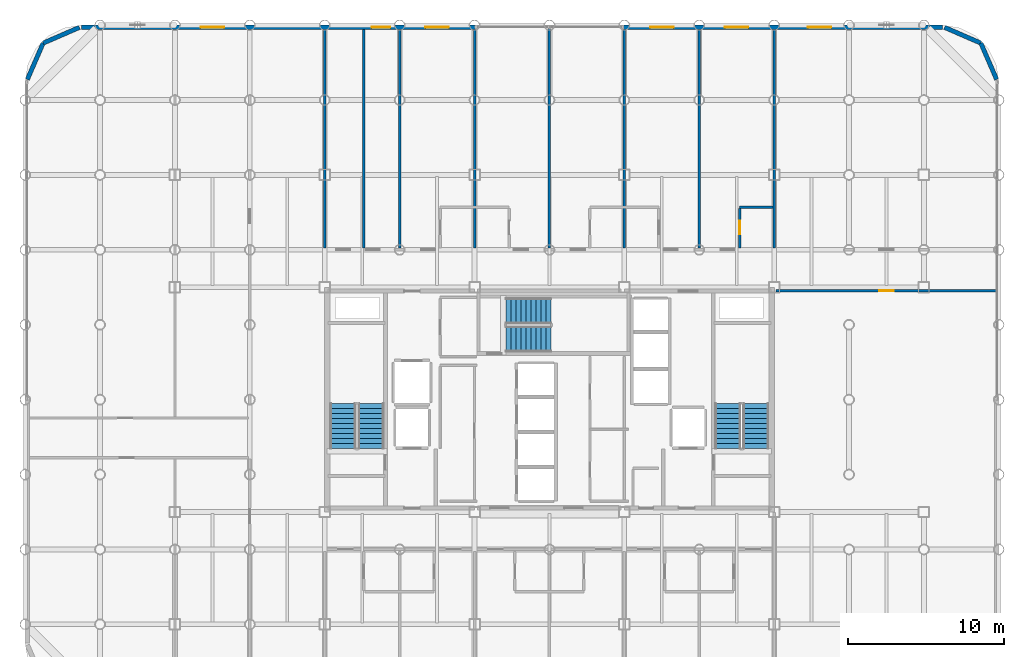
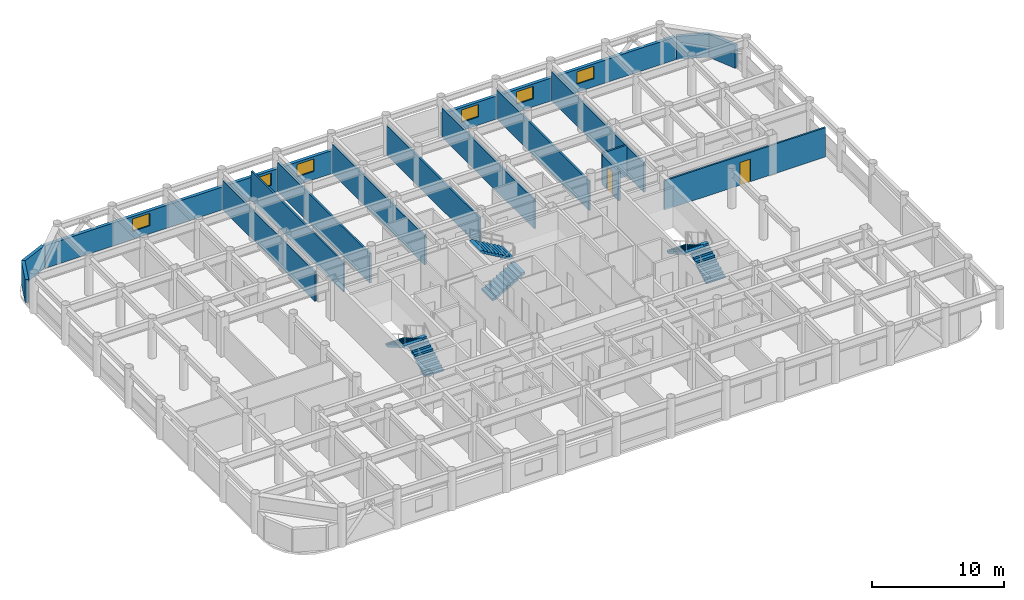
# One storey, part 19 of 20: 17 walls, 6 stair flights, 6 windows, 2 doors, 8 openings, 3 elements without a shape of their own.
"""IFC4 building model written with IfcOpenShell, lengths in metres."""

from ifc_helpers import new_model, si_unit, direction, frame, frame_2d, origin, place, context, subcontext, project, spatial, polyline, rectangle, outline, extrude, material, layer, layer_set, type_object, element, fill, aggregate, save


model = new_model("IFC4")

# Units and contexts
model_context = context("Model", 3, precision=1e-05, world=origin(), true_north=direction((0.0, 1.0)))
body_context = subcontext(model_context, "Body", "Model", "MODEL_VIEW")
ifc_project = project(units=[si_unit("LENGTHUNIT", "METRE"), si_unit("AREAUNIT", "SQUARE_METRE"), si_unit("VOLUMEUNIT", "CUBIC_METRE"), si_unit("PLANEANGLEUNIT", "RADIAN"), si_unit("MASSUNIT", "GRAM", prefix="KILO")], contexts=[model_context])

# Site, building, storey
site_placement = place(None, origin())
site = spatial("IfcSite", under=ifc_project, at=site_placement, CompositionType="ELEMENT")
building_placement = place(site_placement, origin())
building = spatial("IfcBuilding", under=site, at=building_placement, Name="Kallvorn Hotel Tower", CompositionType="ELEMENT")
storey_placement = place(building_placement, frame((0.0, 0.0, 132.199951171875)))
storey = spatial("IfcBuildingStorey", under=building, at=storey_placement, Name="L32", CompositionType="ELEMENT", Elevation=132.199951171875)

# Walls
ifc_material_1 = material(Name="Fire-rated double-layer acoustic gypsum drywall EI 60")
ifc_layer_1 = layer(ifc_material_1, 0.159912109375)
ifc_layer_set_1 = layer_set([ifc_layer_1], Name="WL_DEMISE_160")
wall_type_1 = type_object("IfcWallType", Name="WL_DEMISE_160", PredefinedType="PARTITIONING", material=ifc_layer_set_1)
wall_1_placement = place(storey_placement, frame((12.18994140625, 12.320068359375, 0.0), z_axis=(0.0, 0.0, 1.0), x_axis=(1.0, 0.0, 0.0)))
element("IfcWall", 1, at=wall_1_placement, inside=storey, type_object=wall_type_1, Name="L32 Suite 3211 Standard Twin Room Partition", PredefinedType="PARTITIONING", context=body_context, shape_type="SweptSolid", body=[
    extrude(rectangle(XDim=2.130126953125, YDim=0.159912109375, at=frame_2d((1.06494140625, 0.0))), origin(), (0.0, 0.0, 1.0), 2.8701171875),
])
for number, where, z_axis, x_axis, name in (
    (2, (-9.60009765625, 9.719970703125, 0.0), (0.0, 0.0, 1.0), (0.0, 1.0, 0.0), "L32 Suite 3207 Standard Twin Room Partition"),
    (3, (-4.800048828125, 9.719970703125, 0.0), (0.0, 0.0, 1.0), (0.0, 1.0, 0.0), "L32 Suite 3207 Standard Twin Room Partition"),
):
    element("IfcWall", number, at=place(storey_placement, frame(where, z_axis=z_axis, x_axis=x_axis)), inside=storey, type_object=wall_type_1, Name=name, PredefinedType="PARTITIONING", context=body_context, shape_type="SweptSolid", body=[
        extrude(rectangle(XDim=13.989990234375, YDim=0.159912109375, at=frame_2d((6.9951171875, 0.0))), origin(), (0.0, 0.0, 1.0), 2.719970703125),
    ])
wall_2_placement = place(storey_placement, frame((0.0, 9.719970703125, 0.0), z_axis=(0.0, 0.0, 1.0), x_axis=(0.0, 1.0, 0.0)))
element("IfcWall", 4, at=wall_2_placement, inside=storey, type_object=wall_type_1, Name="L32 Suite 3208 Standard Twin Room Partition", PredefinedType="PARTITIONING", context=body_context, shape_type="SweptSolid", body=[
    extrude(rectangle(XDim=14.074951171875, YDim=0.159912109375, at=frame_2d((7.03759765625, 0.0))), origin(), (0.0, 0.0, 1.0), 2.719970703125),
])
for number, where, z_axis, x_axis, name in (
    (5, (4.800048828125, 9.719970703125, 0.0), (0.0, 0.0, 1.0), (0.0, 1.0, 0.0), "L32 Suite 3209 Standard Twin Room Partition"),
    (6, (9.60009765625, 9.719970703125, 0.0), (0.0, 0.0, 1.0), (0.0, 1.0, 0.0), "L32 Suite 3210 Standard Twin Room Partition"),
):
    element("IfcWall", number, at=place(storey_placement, frame(where, z_axis=z_axis, x_axis=x_axis)), inside=storey, type_object=wall_type_1, Name=name, PredefinedType="PARTITIONING", context=body_context, shape_type="SweptSolid", body=[
        extrude(rectangle(XDim=13.989990234375, YDim=0.159912109375, at=frame_2d((6.9951171875, 0.0))), origin(), (0.0, 0.0, 1.0), 2.719970703125),
    ])

# Wall, opening, door
wall_3_placement = place(storey_placement, frame((12.18994140625, 9.719970703125, 0.0), z_axis=(0.0, 0.0, 1.0), x_axis=(0.0, 1.0, 0.0)))
wall_3 = element("IfcWall", 7, at=wall_3_placement, inside=storey, type_object=wall_type_1, Name="L32 Suite 3211 Standard Twin Room Partition", PredefinedType="PARTITIONING", context=body_context, shape_type="SweptSolid", body=[
    extrude(rectangle(XDim=2.51513671875, YDim=0.159912109375, at=frame_2d((1.257568359375, 0.0))), origin(), (0.0, 0.0, 1.0), 2.719970703125),
])
opening_1_placement = place(wall_3_placement, frame((0.8701171875, 0.0, 0.0)))
opening_1 = element("IfcOpeningElement", 8, at=opening_1_placement, cuts=wall_3, Name="Opening BD-I", PredefinedType="OPENING", context=body_context, shape_type="SweptSolid", body=[
    extrude(rectangle(XDim=0.860107421875, YDim=2.10009765625, at=frame_2d((0.43017578125, 1.050048828125))), frame((0.0, 0.094970703125, 0.0), z_axis=(0.0, -1.0, 0.0), x_axis=(1.0, 0.0, 0.0)), (0.0, 0.0, 1.0), 0.18994140625),
])
ifc_material_2 = material(Name="Solid-core walnut veneer fire-rated timber door leaf", Category="wood")
door_type_1 = type_object("IfcDoorType", Name="DR_BATH_860x2100", OperationType="NOTDEFINED", PredefinedType="DOOR", material=ifc_material_2)
door_1_placement = place(opening_1_placement, origin())
door_1 = element("IfcDoor", 9, at=door_1_placement, inside=storey, type_object=door_type_1, Name="L32 Suite 3211 En-Suite Bathroom Door", OperationType="SINGLE_SWING_LEFT", OverallHeight=2.10009765625, OverallWidth=0.860107421875, PredefinedType="DOOR", context=body_context, shape_type="SweptSolid", body=[
    extrude(rectangle(XDim=0.860107421875, YDim=2.10009765625, at=frame_2d((0.43017578125, 1.050048828125))), frame((0.0, 0.02490234375, 0.0), z_axis=(0.0, -1.0, 0.0), x_axis=(1.0, 0.0, 0.0)), (0.0, 0.0, 1.0), 0.050048828125),
])
fill(opening_1, door_1)

# Walls
wall_4_placement = place(storey_placement, frame((14.39990234375, 9.719970703125, 0.0), z_axis=(0.0, 0.0, 1.0), x_axis=(0.0, 1.0, 0.0)))
element("IfcWall", 10, at=wall_4_placement, inside=storey, type_object=wall_type_1, Name="L32 Suite 3211 Standard Twin Room Partition", PredefinedType="PARTITIONING", context=body_context, shape_type="SweptSolid", body=[
    extrude(rectangle(XDim=13.989990234375, YDim=0.159912109375, at=frame_2d((6.9951171875, 0.0))), origin(), (0.0, 0.0, 1.0), 2.719970703125),
])
ifc_material_3 = material(Name="Precast basalt-clad insulated concrete wall C40/50", Category="masonry")
ifc_layer_2 = layer(ifc_material_3, 0.280029296875)
ifc_layer_set_2 = layer_set([ifc_layer_2], Name="WL_EXT_LOGGIA_280")
wall_type_2 = type_object("IfcWallType", Name="WL_EXT_LOGGIA_280", PredefinedType="SOLIDWALL", material=ifc_layer_set_2)
wall_5_placement = place(storey_placement, frame((28.657958984375, 20.520751953125, 0.0), z_axis=(0.0, 0.0, 1.0), x_axis=(-0.398792985289, 0.917040977756, 0.0)))
element("IfcWall", 11, at=wall_5_placement, inside=storey, type_object=wall_type_2, Name="L32 Rounded Corner Exterior Wall NE1", PredefinedType="SOLIDWALL", context=body_context, shape_type="SweptSolid", body=[
    extrude(rectangle(XDim=2.536376953125, YDim=0.280029296875, at=frame_2d((1.26806640625, 0.0))), origin(), (0.0, 0.0, 1.0), 2.1201171875),
])
for number, where, z_axis, x_axis, name in (
    (12, (27.646484375, 22.8466796875, 0.0), (0.0, 0.0, 1.0), (-0.917060872934, 0.398747232384, 0.0), "L32 Rounded Corner Exterior Wall NE2"),
    (13, (-30.120849609375, 23.85791015625, 0.0), (0.0, 0.0, 1.0), (-0.917060872934, -0.398747232384, 0.0), "L32 Rounded Corner Exterior Wall NW1"),
):
    element("IfcWall", number, at=place(storey_placement, frame(where, z_axis=z_axis, x_axis=x_axis)), inside=storey, type_object=wall_type_2, Name=name, PredefinedType="SOLIDWALL", context=body_context, shape_type="SweptSolid", body=[
        extrude(rectangle(XDim=2.5361328125, YDim=0.280029296875, at=frame_2d((1.26806640625, 0.0))), origin(), (0.0, 0.0, 1.0), 2.1201171875),
    ])
wall_6_placement = place(storey_placement, frame((-32.446533203125, 22.8466796875, 0.0), z_axis=(0.0, 0.0, 1.0), x_axis=(-0.398792985289, -0.917040977756, 0.0)))
element("IfcWall", 14, at=wall_6_placement, inside=storey, type_object=wall_type_2, Name="L32 Rounded Corner Exterior Wall NW2", PredefinedType="SOLIDWALL", context=body_context, shape_type="SweptSolid", body=[
    extrude(rectangle(XDim=2.536376953125, YDim=0.280029296875, at=frame_2d((1.26806640625, 0.0))), origin(), (0.0, 0.0, 1.0), 2.1201171875),
])

# Wall, openings, windows
wall_7_placement = place(storey_placement, frame((-30.0, 23.860107421875, 0.0), z_axis=(0.0, 0.0, 1.0), x_axis=(1.0, 0.0, 0.0)))
wall_7 = element("IfcWall", 15, at=wall_7_placement, inside=storey, type_object=wall_type_2, Name="L32 Exterior Envelope Wall EW-L32-NW", PredefinedType="SOLIDWALL", context=body_context, shape_type="SweptSolid", body=[
    extrude(rectangle(XDim=25.25, YDim=0.280029296875, at=frame_2d((12.625, 0.0))), origin(), (0.0, 0.0, 1.0), 2.1201171875),
])
opening_2_placement = place(wall_7_placement, frame((7.64990234375, 0.0, 0.75)))
opening_2 = element("IfcOpeningElement", 16, at=opening_2_placement, cuts=wall_7, Name="Opening W05A", PredefinedType="OPENING", context=body_context, shape_type="SweptSolid", body=[
    extrude(rectangle(XDim=1.5, YDim=1.14990234375, at=frame_2d((0.75, 0.574951171875))), frame((0.0, 0.155029296875, 0.0), z_axis=(0.0, -1.0, 0.0), x_axis=(1.0, 0.0, 0.0)), (0.0, 0.0, 1.0), 0.31005859375),
])
opening_3_placement = place(wall_7_placement, frame((18.60009765625, 0.0, 0.75)))
opening_3 = element("IfcOpeningElement", 17, at=opening_3_placement, cuts=wall_7, Name="Opening W06A", PredefinedType="OPENING", context=body_context, shape_type="SweptSolid", body=[
    extrude(rectangle(XDim=1.199951171875, YDim=1.14990234375, at=frame_2d((0.60009765625, 0.574951171875))), frame((0.0, 0.155029296875, 0.0), z_axis=(0.0, -1.0, 0.0), x_axis=(1.0, 0.0, 0.0)), (0.0, 0.0, 1.0), 0.31005859375),
])
opening_4_placement = place(wall_7_placement, frame((22.050048828125, 0.0, 0.75)))
opening_4 = element("IfcOpeningElement", 18, at=opening_4_placement, cuts=wall_7, Name="Opening W05A", PredefinedType="OPENING", context=body_context, shape_type="SweptSolid", body=[
    extrude(rectangle(XDim=1.5, YDim=1.14990234375, at=frame_2d((0.75, 0.574951171875))), frame((0.0, 0.155029296875, 0.0), z_axis=(0.0, -1.0, 0.0), x_axis=(1.0, 0.0, 0.0)), (0.0, 0.0, 1.0), 0.31005859375),
])
ifc_material_4 = material(Name="Triple-glazed low-e acoustic solar-control dark glass", Category="glass")
window_type_1 = type_object("IfcWindowType", Name="WN_HTL_1200x1150", PartitioningType="SINGLE_PANEL", PredefinedType="WINDOW", material=ifc_material_4)
window_1_placement = place(opening_3_placement, origin())
window_1 = element("IfcWindow", 19, at=window_1_placement, inside=storey, type_object=window_type_1, Name="L32 Guestroom Exterior Window 09", OverallHeight=1.14990234375, OverallWidth=1.199951171875, PartitioningType="SINGLE_PANEL", PredefinedType="WINDOW", context=body_context, shape_type="SweptSolid", body=[
    extrude(rectangle(XDim=1.199951171875, YDim=1.14990234375, at=frame_2d((0.60009765625, 0.574951171875))), frame((0.0, 0.030029296875, 0.0), z_axis=(0.0, -1.0, 0.0), x_axis=(1.0, 0.0, 0.0)), (0.0, 0.0, 1.0), 0.06005859375),
])
fill(opening_3, window_1)
ifc_material_5 = material(Name="Double-glazed low-e solar-control dark glass", Category="glass")
window_type_2 = type_object("IfcWindowType", Name="WN_HTL_1500x1150", PartitioningType="SINGLE_PANEL", PredefinedType="WINDOW", material=ifc_material_5)
window_2_placement = place(opening_2_placement, origin())
window_2 = element("IfcWindow", 20, at=window_2_placement, inside=storey, type_object=window_type_2, Name="L32 Guestroom Exterior Window 02", OverallHeight=1.14990234375, OverallWidth=1.5, PartitioningType="SINGLE_PANEL", PredefinedType="WINDOW", context=body_context, shape_type="SweptSolid", body=[
    extrude(rectangle(XDim=1.5, YDim=1.14990234375, at=frame_2d((0.75, 0.574951171875))), frame((0.0, 0.030029296875, 0.0), z_axis=(0.0, -1.0, 0.0), x_axis=(1.0, 0.0, 0.0)), (0.0, 0.0, 1.0), 0.06005859375),
])
fill(opening_2, window_2)
window_3_placement = place(opening_4_placement, origin())
window_3 = element("IfcWindow", 21, at=window_3_placement, inside=storey, type_object=window_type_2, Name="L32 Guestroom Exterior Window 10", OverallHeight=1.14990234375, OverallWidth=1.5, PartitioningType="SINGLE_PANEL", PredefinedType="WINDOW", context=body_context, shape_type="SweptSolid", body=[
    extrude(rectangle(XDim=1.5, YDim=1.14990234375, at=frame_2d((0.75, 0.574951171875))), frame((0.0, 0.030029296875, 0.0), z_axis=(0.0, -1.0, 0.0), x_axis=(1.0, 0.0, 0.0)), (0.0, 0.0, 1.0), 0.06005859375),
])
fill(opening_4, window_3)

wall_8_placement = place(storey_placement, frame((4.75, 23.860107421875, 0.0), z_axis=(0.0, 0.0, 1.0), x_axis=(1.0, 0.0, 0.0)))
wall_8 = element("IfcWall", 22, at=wall_8_placement, inside=storey, type_object=wall_type_2, Name="L32 Exterior Envelope Wall EW-L32-NE", PredefinedType="SOLIDWALL", context=body_context, shape_type="SweptSolid", body=[
    extrude(rectangle(XDim=20.449951171875, YDim=0.280029296875, at=frame_2d((10.22509765625, 0.0))), origin(), (0.0, 0.0, 1.0), 2.1201171875),
])
opening_5_placement = place(wall_8_placement, frame((11.81689453125, 0.0, 0.75)))
opening_5 = element("IfcOpeningElement", 23, at=opening_5_placement, cuts=wall_8, Name="Opening W05A", PredefinedType="OPENING", context=body_context, shape_type="SweptSolid", body=[
    extrude(rectangle(XDim=1.5, YDim=1.14990234375, at=frame_2d((0.75, 0.574951171875))), frame((0.0, 0.155029296875, 0.0), z_axis=(0.0, -1.0, 0.0), x_axis=(1.0, 0.0, 0.0)), (0.0, 0.0, 1.0), 0.31005859375),
])
opening_6_placement = place(wall_8_placement, frame((1.699951171875, 0.0, 0.75)))
opening_6 = element("IfcOpeningElement", 24, at=opening_6_placement, cuts=wall_8, Name="Opening W05A", PredefinedType="OPENING", context=body_context, shape_type="SweptSolid", body=[
    extrude(rectangle(XDim=1.5, YDim=1.14990234375, at=frame_2d((0.75, 0.574951171875))), frame((0.0, 0.155029296875, 0.0), z_axis=(0.0, -1.0, 0.0), x_axis=(1.0, 0.0, 0.0)), (0.0, 0.0, 1.0), 0.31005859375),
])
opening_7_placement = place(wall_8_placement, frame((6.5, 0.0, 0.75)))
opening_7 = element("IfcOpeningElement", 25, at=opening_7_placement, cuts=wall_8, Name="Opening W05A", PredefinedType="OPENING", context=body_context, shape_type="SweptSolid", body=[
    extrude(rectangle(XDim=1.5, YDim=1.14990234375, at=frame_2d((0.75, 0.574951171875))), frame((0.0, 0.155029296875, 0.0), z_axis=(0.0, -1.0, 0.0), x_axis=(1.0, 0.0, 0.0)), (0.0, 0.0, 1.0), 0.31005859375),
])
window_4_placement = place(opening_5_placement, origin())
window_4 = element("IfcWindow", 26, at=window_4_placement, inside=storey, type_object=window_type_2, Name="L32 Guestroom Exterior Window 03", OverallHeight=1.14990234375, OverallWidth=1.5, PartitioningType="SINGLE_PANEL", PredefinedType="WINDOW", context=body_context, shape_type="SweptSolid", body=[
    extrude(rectangle(XDim=1.5, YDim=1.14990234375, at=frame_2d((0.75, 0.574951171875))), frame((0.0, 0.030029296875, 0.0), z_axis=(0.0, -1.0, 0.0), x_axis=(1.0, 0.0, 0.0)), (0.0, 0.0, 1.0), 0.06005859375),
])
fill(opening_5, window_4)
window_5_placement = place(opening_6_placement, origin())
window_5 = element("IfcWindow", 27, at=window_5_placement, inside=storey, type_object=window_type_2, Name="L32 Guestroom Exterior Window 11", OverallHeight=1.14990234375, OverallWidth=1.5, PartitioningType="SINGLE_PANEL", PredefinedType="WINDOW", context=body_context, shape_type="SweptSolid", body=[
    extrude(rectangle(XDim=1.5, YDim=1.14990234375, at=frame_2d((0.75, 0.574951171875))), frame((0.0, 0.030029296875, 0.0), z_axis=(0.0, -1.0, 0.0), x_axis=(1.0, 0.0, 0.0)), (0.0, 0.0, 1.0), 0.06005859375),
])
fill(opening_6, window_5)
window_6_placement = place(opening_7_placement, origin())
window_6 = element("IfcWindow", 28, at=window_6_placement, inside=storey, type_object=window_type_2, Name="L32 Guestroom Exterior Window 12", OverallHeight=1.14990234375, OverallWidth=1.5, PartitioningType="SINGLE_PANEL", PredefinedType="WINDOW", context=body_context, shape_type="SweptSolid", body=[
    extrude(rectangle(XDim=1.5, YDim=1.14990234375, at=frame_2d((0.75, 0.574951171875))), frame((0.0, 0.030029296875, 0.0), z_axis=(0.0, -1.0, 0.0), x_axis=(1.0, 0.0, 0.0)), (0.0, 0.0, 1.0), 0.06005859375),
])
fill(opening_7, window_6)

# Wall, opening, door
ifc_material_6 = material(Name="Fire-rated double-layer acoustic gypsum drywall EI 60")
ifc_layer_3 = layer(ifc_material_6, 0.14990234375)
ifc_layer_set_3 = layer_set([ifc_layer_3], Name="WL_PART_150")
wall_type_3 = type_object("IfcWallType", Name="WL_PART_150", PredefinedType="PARTITIONING", material=ifc_layer_set_3)
wall_9_placement = place(storey_placement, frame((14.52001953125, 6.97998046875, 0.0), z_axis=(0.0, 0.0, 1.0), x_axis=(1.0, 0.0, 0.0)))
wall_9 = element("IfcWall", 29, at=wall_9_placement, inside=storey, type_object=wall_type_3, Name="L32 L32 South-East Sommelier Wine Bar Partition", PredefinedType="PARTITIONING", context=body_context, shape_type="SweptSolid", body=[
    extrude(rectangle(XDim=14.10986328125, YDim=0.14990234375, at=frame_2d((7.054931640625, 0.0))), origin(), (0.0, 0.0, 1.0), 2.719970703125),
])
opening_8_placement = place(wall_9_placement, frame((6.6298828125, 0.0, 0.0)))
opening_8 = element("IfcOpeningElement", 30, at=opening_8_placement, cuts=wall_9, Name="Opening SVD1", PredefinedType="OPENING", context=body_context, shape_type="SweptSolid", body=[
    extrude(rectangle(XDim=0.89990234375, YDim=2.10009765625, at=frame_2d((0.449951171875, 1.050048828125))), frame((0.0, 0.08984375, 0.0), z_axis=(0.0, -1.0, 0.0), x_axis=(1.0, 0.0, 0.0)), (0.0, 0.0, 1.0), 0.179931640625),
])
ifc_material_7 = material(Name="Galvanised painted steel fire-rated door assembly", Category="steel")
door_type_2 = type_object("IfcDoorType", Name="DR_SERV_900x2100", OperationType="NOTDEFINED", PredefinedType="DOOR", material=ifc_material_7)
door_2_placement = place(opening_8_placement, origin())
door_2 = element("IfcDoor", 31, at=door_2_placement, inside=storey, type_object=door_type_2, Name="L32 L32 South-East Sommelier Wine Bar Door", OperationType="SINGLE_SWING_LEFT", OverallHeight=2.10009765625, OverallWidth=0.89990234375, PredefinedType="DOOR", context=body_context, shape_type="SweptSolid", body=[
    extrude(rectangle(XDim=0.89990234375, YDim=2.10009765625, at=frame_2d((0.449951171875, 1.050048828125))), frame((0.0, 0.02490234375, 0.0), z_axis=(0.0, -1.0, 0.0), x_axis=(1.0, 0.0, 0.0)), (0.0, 0.0, 1.0), 0.050048828125),
])
fill(opening_8, door_2)

# Walls
for number, where, z_axis, x_axis, name in (
    (32, (-14.39990234375, 9.719970703125, 0.0), (0.0, 0.0, 1.0), (0.0, 1.0, 0.0), "L32 Housekeeping and Linen Room Partition"),
    (33, (-11.905029296875, 9.719970703125, 0.0), (0.0, 0.0, 1.0), (0.0, 1.0, 0.0), "L32 Guest Tea and Refreshment Bar Partition"),
):
    element("IfcWall", number, at=place(storey_placement, frame(where, z_axis=z_axis, x_axis=x_axis)), inside=storey, type_object=wall_type_3, Name=name, PredefinedType="PARTITIONING", context=body_context, shape_type="SweptSolid", body=[
        extrude(rectangle(XDim=13.989990234375, YDim=0.14990234375, at=frame_2d((6.9951171875, 0.0))), origin(), (0.0, 0.0, 1.0), 2.719970703125),
    ])

# Stair, stair flights
ifc_material_8 = material(Name="Precast concrete C40/50", Category="concrete")
stair_type = type_object("IfcStairType", Name="STR_CORE_DOGLEG", PredefinedType="HALF_TURN_STAIR", material=ifc_material_8)
stair_1_placement = place(storey_placement, origin())
stair_1 = element("IfcStair", 34, at=stair_1_placement, inside=storey, type_object=stair_type, Name="L32 Exit stair ST1", PredefinedType="HALF_TURN_STAIR")
ifc_material_9 = material(Name="Precast concrete C40/50", Category="concrete")
stair_flight_type = type_object("IfcStairFlightType", Name="FLT_CORE_1660", PredefinedType="STRAIGHT", material=ifc_material_9)
stair_flight_1_placement = place(storey_placement, frame((-11.429931640625, -3.139892578125, 0.0), z_axis=(0.0, 0.0, 1.0), x_axis=(0.0, 1.0, 0.0)))
stair_flight_1 = element("IfcStairFlight", 35, at=stair_flight_1_placement, type_object=stair_flight_type, Name="ST1 flight 1", NumberOfRisers=10, NumberOfTreads=9, PredefinedType="STRAIGHT", RiserHeight=0.185, TreadLength=0.32, context=body_context, shape_type="SweptSolid", body=[
    extrude(outline(polyline([(0.0, 0.0), (0.0, 0.18505859375), (0.320068359375, 0.18505859375), (0.320068359375, 0.3701171875), (0.639892578125, 0.3701171875), (0.639892578125, 0.554931640625), (0.9599609375, 0.554931640625), (0.9599609375, 0.739990234375), (1.280029296875, 0.739990234375), (1.280029296875, 0.925048828125), (1.60009765625, 0.925048828125), (1.60009765625, 1.110107421875), (1.919921875, 1.110107421875), (1.919921875, 1.294921875), (2.239990234375, 1.294921875), (2.239990234375, 1.47998046875), (2.56005859375, 1.47998046875), (2.56005859375, 1.6650390625), (2.8798828125, 1.6650390625), (2.8798828125, 1.85009765625), (2.8798828125, 1.491943359375), (0.299560546875, 0.0), (0.0, 0.0)])), frame((0.0, 0.830078125, 0.0), z_axis=(0.0, -1.0, 0.0), x_axis=(1.0, 0.0, 0.0)), (0.0, 0.0, 1.0), 1.659912109375),
])
stair_flight_2_placement = place(storey_placement, frame((-13.22998046875, -0.260009765625, 1.85009765625), z_axis=(0.0, 0.0, 1.0), x_axis=(0.0, -1.0, 0.0)))
stair_flight_2 = element("IfcStairFlight", 36, at=stair_flight_2_placement, type_object=stair_flight_type, Name="ST1 flight 2", NumberOfRisers=10, NumberOfTreads=9, PredefinedType="STRAIGHT", RiserHeight=0.185, TreadLength=0.32, context=body_context, shape_type="SweptSolid", body=[
    extrude(outline(polyline([(0.0, 0.0), (0.0, 0.18505859375), (0.320068359375, 0.18505859375), (0.320068359375, 0.3701171875), (0.639892578125, 0.3701171875), (0.639892578125, 0.554931640625), (0.9599609375, 0.554931640625), (0.9599609375, 0.739990234375), (1.280029296875, 0.739990234375), (1.280029296875, 0.925048828125), (1.60009765625, 0.925048828125), (1.60009765625, 1.110107421875), (1.919921875, 1.110107421875), (1.919921875, 1.294921875), (2.239990234375, 1.294921875), (2.239990234375, 1.47998046875), (2.56005859375, 1.47998046875), (2.56005859375, 1.6650390625), (2.8798828125, 1.6650390625), (2.8798828125, 1.85009765625), (2.8798828125, 1.491943359375), (0.299560546875, 0.0), (0.0, 0.0)])), frame((0.0, 0.830078125, 0.0), z_axis=(0.0, -1.0, 0.0), x_axis=(1.0, 0.0, 0.0)), (0.0, 0.0, 1.0), 1.659912109375),
])
aggregate(stair_1, [stair_flight_1, stair_flight_2])

stair_2_placement = place(storey_placement, origin())
stair_2 = element("IfcStair", 37, at=stair_2_placement, inside=storey, type_object=stair_type, Name="L32 Exit stair ST2", PredefinedType="HALF_TURN_STAIR")
stair_flight_3_placement = place(storey_placement, frame((13.22998046875, -3.139892578125, 0.0), z_axis=(0.0, 0.0, 1.0), x_axis=(0.0, 1.0, 0.0)))
stair_flight_3 = element("IfcStairFlight", 38, at=stair_flight_3_placement, type_object=stair_flight_type, Name="ST2 flight 1", NumberOfRisers=10, NumberOfTreads=9, PredefinedType="STRAIGHT", RiserHeight=0.185, TreadLength=0.32, context=body_context, shape_type="SweptSolid", body=[
    extrude(outline(polyline([(0.0, 0.0), (0.0, 0.18505859375), (0.320068359375, 0.18505859375), (0.320068359375, 0.3701171875), (0.639892578125, 0.3701171875), (0.639892578125, 0.554931640625), (0.9599609375, 0.554931640625), (0.9599609375, 0.739990234375), (1.280029296875, 0.739990234375), (1.280029296875, 0.925048828125), (1.60009765625, 0.925048828125), (1.60009765625, 1.110107421875), (1.919921875, 1.110107421875), (1.919921875, 1.294921875), (2.239990234375, 1.294921875), (2.239990234375, 1.47998046875), (2.56005859375, 1.47998046875), (2.56005859375, 1.6650390625), (2.8798828125, 1.6650390625), (2.8798828125, 1.85009765625), (2.8798828125, 1.491943359375), (0.299560546875, 0.0), (0.0, 0.0)])), frame((0.0, 0.830078125, 0.0), z_axis=(0.0, -1.0, 0.0), x_axis=(1.0, 0.0, 0.0)), (0.0, 0.0, 1.0), 1.659912109375),
])
stair_flight_4_placement = place(storey_placement, frame((11.429931640625, -0.260009765625, 1.85009765625), z_axis=(0.0, 0.0, 1.0), x_axis=(0.0, -1.0, 0.0)))
stair_flight_4 = element("IfcStairFlight", 39, at=stair_flight_4_placement, type_object=stair_flight_type, Name="ST2 flight 2", NumberOfRisers=10, NumberOfTreads=9, PredefinedType="STRAIGHT", RiserHeight=0.185, TreadLength=0.32, context=body_context, shape_type="SweptSolid", body=[
    extrude(outline(polyline([(0.0, 0.0), (0.0, 0.18505859375), (0.320068359375, 0.18505859375), (0.320068359375, 0.3701171875), (0.639892578125, 0.3701171875), (0.639892578125, 0.554931640625), (0.9599609375, 0.554931640625), (0.9599609375, 0.739990234375), (1.280029296875, 0.739990234375), (1.280029296875, 0.925048828125), (1.60009765625, 0.925048828125), (1.60009765625, 1.110107421875), (1.919921875, 1.110107421875), (1.919921875, 1.294921875), (2.239990234375, 1.294921875), (2.239990234375, 1.47998046875), (2.56005859375, 1.47998046875), (2.56005859375, 1.6650390625), (2.8798828125, 1.6650390625), (2.8798828125, 1.85009765625), (2.8798828125, 1.491943359375), (0.299560546875, 0.0), (0.0, 0.0)])), frame((0.0, 0.830078125, 0.0), z_axis=(0.0, -1.0, 0.0), x_axis=(1.0, 0.0, 0.0)), (0.0, 0.0, 1.0), 1.659912109375),
])
aggregate(stair_2, [stair_flight_3, stair_flight_4])

stair_3_placement = place(storey_placement, origin())
stair_3 = element("IfcStair", 40, at=stair_3_placement, inside=storey, type_object=stair_type, Name="L32 Exit stair ST3", PredefinedType="HALF_TURN_STAIR")
stair_flight_5_placement = place(storey_placement, frame((-2.7900390625, 3.8798828125, 0.0), z_axis=(0.0, 0.0, 1.0), x_axis=(1.0, 0.0, 0.0)))
stair_flight_5 = element("IfcStairFlight", 41, at=stair_flight_5_placement, type_object=stair_flight_type, Name="ST3 flight 1", NumberOfRisers=10, NumberOfTreads=9, PredefinedType="STRAIGHT", RiserHeight=0.185, TreadLength=0.32, context=body_context, shape_type="SweptSolid", body=[
    extrude(outline(polyline([(0.0, 0.0), (0.0, 0.18505859375), (0.320068359375, 0.18505859375), (0.320068359375, 0.3701171875), (0.639892578125, 0.3701171875), (0.639892578125, 0.554931640625), (0.9599609375, 0.554931640625), (0.9599609375, 0.739990234375), (1.280029296875, 0.739990234375), (1.280029296875, 0.925048828125), (1.60009765625, 0.925048828125), (1.60009765625, 1.110107421875), (1.919921875, 1.110107421875), (1.919921875, 1.294921875), (2.239990234375, 1.294921875), (2.239990234375, 1.47998046875), (2.56005859375, 1.47998046875), (2.56005859375, 1.6650390625), (2.8798828125, 1.6650390625), (2.8798828125, 1.85009765625), (2.8798828125, 1.491943359375), (0.299560546875, 0.0), (0.0, 0.0)])), frame((0.0, 0.830078125, 0.0), z_axis=(0.0, -1.0, 0.0), x_axis=(1.0, 0.0, 0.0)), (0.0, 0.0, 1.0), 1.659912109375),
])
stair_flight_6_placement = place(storey_placement, frame((0.090087890625, 5.679931640625, 1.85009765625), z_axis=(0.0, 0.0, 1.0), x_axis=(-1.0, 0.0, 0.0)))
stair_flight_6 = element("IfcStairFlight", 42, at=stair_flight_6_placement, type_object=stair_flight_type, Name="ST3 flight 2", NumberOfRisers=10, NumberOfTreads=9, PredefinedType="STRAIGHT", RiserHeight=0.185, TreadLength=0.32, context=body_context, shape_type="SweptSolid", body=[
    extrude(outline(polyline([(0.0, 0.0), (0.0, 0.18505859375), (0.320068359375, 0.18505859375), (0.320068359375, 0.3701171875), (0.639892578125, 0.3701171875), (0.639892578125, 0.554931640625), (0.9599609375, 0.554931640625), (0.9599609375, 0.739990234375), (1.280029296875, 0.739990234375), (1.280029296875, 0.925048828125), (1.60009765625, 0.925048828125), (1.60009765625, 1.110107421875), (1.919921875, 1.110107421875), (1.919921875, 1.294921875), (2.239990234375, 1.294921875), (2.239990234375, 1.47998046875), (2.56005859375, 1.47998046875), (2.56005859375, 1.6650390625), (2.8798828125, 1.6650390625), (2.8798828125, 1.85009765625), (2.8798828125, 1.491943359375), (0.299560546875, 0.0), (0.0, 0.0)])), frame((0.0, 0.830078125, 0.0), z_axis=(0.0, -1.0, 0.0), x_axis=(1.0, 0.0, 0.0)), (0.0, 0.0, 1.0), 1.659912109375),
])
aggregate(stair_3, [stair_flight_5, stair_flight_6])

save(model, "model.ifc")
